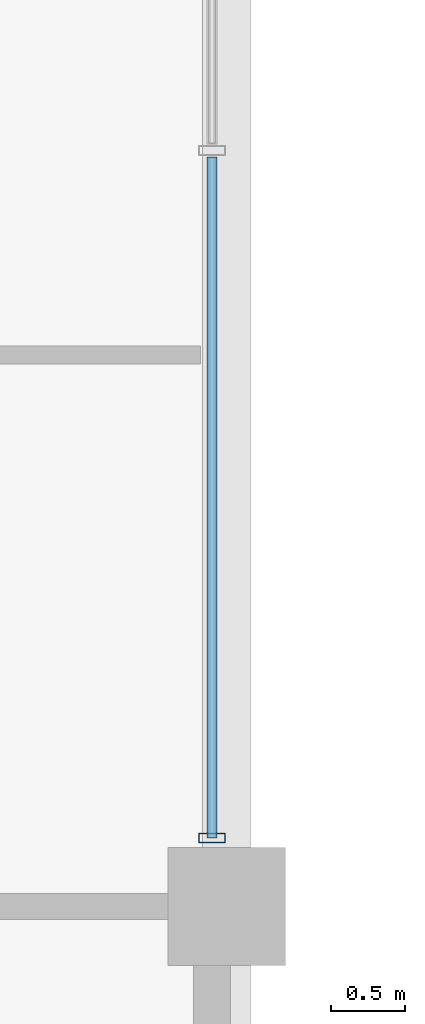
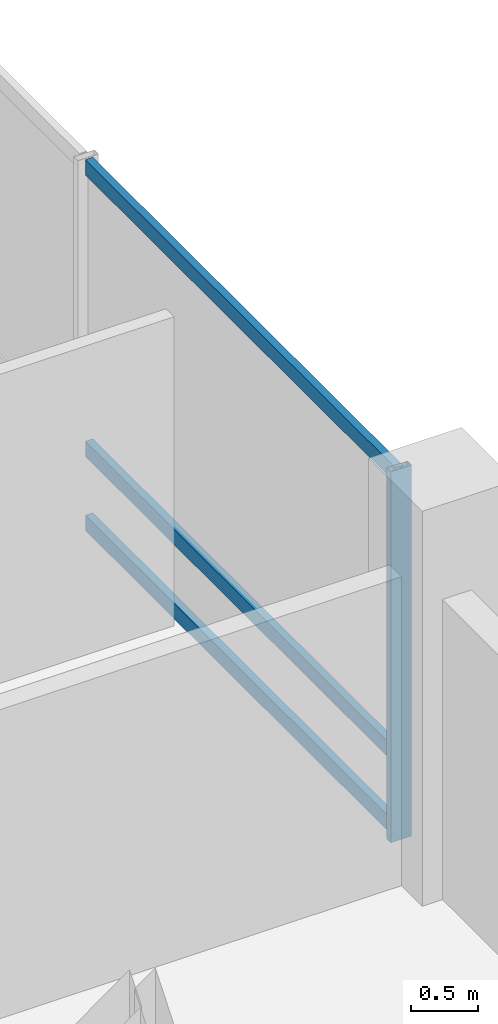
# One storey, part 8 of 23: 4 members, 1 element without a shape of its own.
"""IFC4 building model written with IfcOpenShell, lengths in metres."""

from ifc_helpers import new_model, si_unit, direction, frame, origin, origin_2d, place, context, subcontext, project, spatial, hollow_rectangle, extrude, material, layer, layer_set, material_profile, profile_set, type_object, element, aggregate, save


model = new_model("IFC4")

# Units and contexts
model_context = context("Model", 3, precision=1e-05, world=origin(), true_north=direction((0.0, 1.0)))
body_context = subcontext(model_context, "Body", "Model", "MODEL_VIEW")
ifc_project = project(units=[si_unit("LENGTHUNIT", "METRE"), si_unit("AREAUNIT", "SQUARE_METRE"), si_unit("VOLUMEUNIT", "CUBIC_METRE"), si_unit("PLANEANGLEUNIT", "RADIAN"), si_unit("MASSUNIT", "GRAM", prefix="KILO")], contexts=[model_context])

# Site, building, storey
site_placement = place(None, origin())
site = spatial("IfcSite", under=ifc_project, at=site_placement, CompositionType="ELEMENT")
building_placement = place(site_placement, origin())
building = spatial("IfcBuilding", under=site, at=building_placement, Name="Barlavira Tower and Art Museum", CompositionType="ELEMENT")
storey_placement = place(building_placement, frame((0.0, 0.0, 75.60009765625)))
storey = spatial("IfcBuildingStorey", under=building, at=storey_placement, Name="L18", CompositionType="ELEMENT", Elevation=75.60009765625)

# Curtain wall, members
ifc_material_1 = material(Name="Low-iron coastal laminated glass", Category="glass")
ifc_layer = layer(ifc_material_1, 0.179931640625, Name="Low-iron coastal laminated glass")
ifc_layer_set = layer_set([ifc_layer], Name="Low-iron coastal laminated glass")
curtain_wall_type = type_object("IfcCurtainWallType", Name="Pale-Metal Unitised Curtain Wall Zone 1", PredefinedType="NOTDEFINED", material=ifc_layer_set)
curtain_wall_placement = place(storey_placement, origin())
curtain_wall = element("IfcCurtainWall", 1, at=curtain_wall_placement, inside=storey, type_object=curtain_wall_type, Name="L18 Curtain Wall CW1-L18-E-B3", PredefinedType="NOTDEFINED")
ifc_material_2 = material(Name="Pale anodised aluminium", Category="aluminium")
ifc_material_profile_1 = material_profile(ifc_material_2, hollow_rectangle(XDim=0.06494140625, YDim=0.179931640625, WallThickness=0.00390625, at=origin_2d()), Name="ALU-MULL 65x180x4")
ifc_profile_set_1 = profile_set([ifc_material_profile_1], Name="Pale anodised aluminium")
member_type_1 = type_object("IfcMemberType", Name="Curtain Wall Pale-Metal Mullion 65x180", PredefinedType="MULLION", material=ifc_profile_set_1)
member_1_placement = place(storey_placement, frame((21.89990234375, -7.034912109375, 0.0), z_axis=(0.0, 0.0, 1.0), x_axis=(0.0, 1.0, 0.0)))
member_1 = element("IfcMember", 2, at=member_1_placement, type_object=member_type_1, Name="CW1-L18-E-B3 Mullion 0", PredefinedType="MULLION", context=body_context, shape_type="SweptSolid", body=[
    extrude(hollow_rectangle(XDim=0.06494140625, YDim=0.179931640625, WallThickness=0.00390625, at=origin_2d()), origin(), (0.0, 0.0, 1.0), 3.3798828125),
])
ifc_material_profile_2 = material_profile(ifc_material_2, hollow_rectangle(XDim=0.06494140625, YDim=0.139892578125, WallThickness=0.00390625, at=origin_2d()), Name="ALU-TRAN 65x140x4")
ifc_profile_set_2 = profile_set([ifc_material_profile_2], Name="Pale anodised aluminium")
member_type_2 = type_object("IfcMemberType", Name="Curtain Wall Pale-Metal Transom 65x140", PredefinedType="USERDEFINED", material=ifc_profile_set_2)
member_2_placement = place(storey_placement, frame((21.89990234375, -7.034912109375, 0.06982421875), z_axis=(0.0, 1.0, 0.0), x_axis=(-1.0, 0.0, 0.0)))
member_2 = element("IfcMember", 3, at=member_2_placement, type_object=member_type_2, Name="CW1-L18-E-B3 Transom 0.1", ObjectType="TRANSOM", PredefinedType="USERDEFINED", context=body_context, shape_type="SweptSolid", body=[
    extrude(hollow_rectangle(XDim=0.06494140625, YDim=0.139892578125, WallThickness=0.00390625, at=origin_2d()), origin(), (0.0, 0.0, 1.0), 4.6298828125),
])
member_3_placement = place(storey_placement, frame((21.89990234375, -7.034912109375, 0.743896484375), z_axis=(0.0, 1.0, 0.0), x_axis=(-1.0, 0.0, 0.0)))
member_3 = element("IfcMember", 4, at=member_3_placement, type_object=member_type_2, Name="CW1-L18-E-B3 Transom 0.2", ObjectType="TRANSOM", PredefinedType="USERDEFINED", context=body_context, shape_type="SweptSolid", body=[
    extrude(hollow_rectangle(XDim=0.06494140625, YDim=0.139892578125, WallThickness=0.00390625, at=origin_2d()), origin(), (0.0, 0.0, 1.0), 4.6298828125),
])
member_4_placement = place(storey_placement, frame((21.89990234375, -7.034912109375, 3.309814453125), z_axis=(0.0, 1.0, 0.0), x_axis=(-1.0, 0.0, 0.0)))
member_4 = element("IfcMember", 5, at=member_4_placement, type_object=member_type_2, Name="CW1-L18-E-B3 Transom 0.3", ObjectType="TRANSOM", PredefinedType="USERDEFINED", context=body_context, shape_type="SweptSolid", body=[
    extrude(hollow_rectangle(XDim=0.06494140625, YDim=0.139892578125, WallThickness=0.00390625, at=origin_2d()), origin(), (0.0, 0.0, 1.0), 4.6298828125),
])
aggregate(curtain_wall, [member_1, member_2, member_3, member_4])

save(model, "model.ifc")
